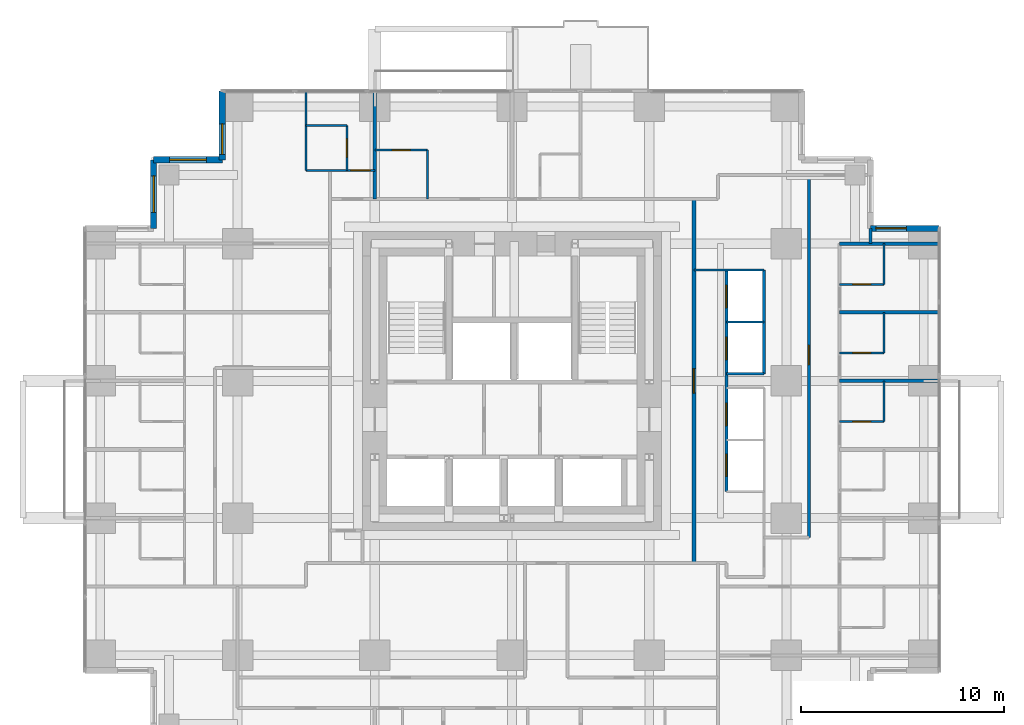
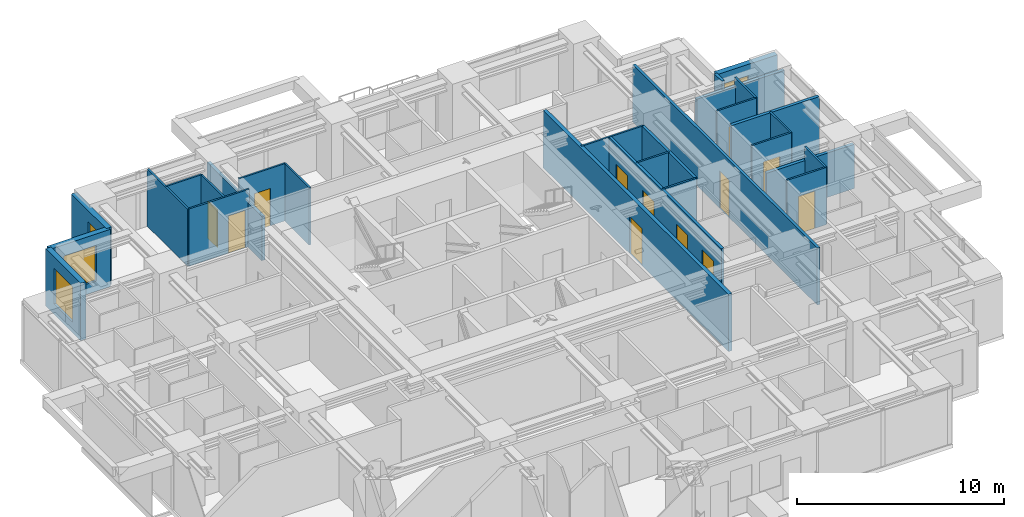
# One storey, part 10 of 12: 28 walls, 12 doors, 4 windows, 16 openings.
"""IFC4 building model written with IfcOpenShell, lengths in metres."""

from ifc_helpers import new_model, si_unit, direction, frame, frame_2d, origin, place, context, subcontext, project, spatial, rectangle, extrude, material, layer, layer_set, type_object, element, fill, save


model = new_model("IFC4")

# Units and contexts
model_context = context("Model", 3, precision=1e-05, world=origin(), true_north=direction((0.0, 1.0)))
body_context = subcontext(model_context, "Body", "Model", "MODEL_VIEW")
ifc_project = project(units=[si_unit("LENGTHUNIT", "METRE"), si_unit("AREAUNIT", "SQUARE_METRE"), si_unit("VOLUMEUNIT", "CUBIC_METRE"), si_unit("PLANEANGLEUNIT", "RADIAN"), si_unit("MASSUNIT", "GRAM", prefix="KILO")], contexts=[model_context])

# Site, building, storey
site_placement = place(None, origin())
site = spatial("IfcSite", under=ifc_project, at=site_placement, CompositionType="ELEMENT")
building_placement = place(site_placement, origin())
building = spatial("IfcBuilding", under=site, at=building_placement, Name="Nyansa Garden Tower", CompositionType="ELEMENT")
storey_placement = place(building_placement, frame((0.0, 0.0, 126.89990234375)))
storey = spatial("IfcBuildingStorey", under=building, at=storey_placement, Name="L34", CompositionType="ELEMENT", Elevation=126.89990234375)

# Walls
ifc_material_1 = material(Name="Dense blockwork, plastered both sides, 55 dB", Category="masonry")
ifc_layer_1 = layer(ifc_material_1, 0.175048828125)
ifc_layer_set_1 = layer_set([ifc_layer_1], Name="Acoustic party wall PW175")
wall_type_1 = type_object("IfcWallType", Name="Acoustic party wall PW175", PredefinedType="PARTITIONING", material=ifc_layer_set_1)
wall_1_placement = place(storey_placement, frame((13.5, 29.199951171875, 0.0), z_axis=(0.0, 0.0, 1.0), x_axis=(0.0, 1.0, 0.0)))
element("IfcWall", 1, at=wall_1_placement, inside=storey, type_object=wall_type_1, Name="Party wall", PredefinedType="PARTITIONING", context=body_context, shape_type="SweptSolid", body=[
    extrude(rectangle(XDim=5.283935546875, YDim=0.175048828125, at=frame_2d((2.64208984375, 0.0))), origin(), (0.0, 0.0, 1.0), 2.610107421875),
])
wall_2_placement = place(storey_placement, frame((36.35009765625, 20.25, 0.0), z_axis=(0.0, 0.0, 1.0), x_axis=(1.0, 0.0, 0.0)))
element("IfcWall", 2, at=wall_2_placement, inside=storey, type_object=wall_type_1, Name="Party wall", PredefinedType="PARTITIONING", context=body_context, shape_type="SweptSolid", body=[
    extrude(rectangle(XDim=4.8837890625, YDim=0.175048828125, at=frame_2d((2.44189453125, 0.0))), origin(), (0.0, 0.0, 1.0), 2.610107421875),
])
wall_3_placement = place(storey_placement, frame((36.35009765625, 23.625, 0.0), z_axis=(0.0, 0.0, 1.0), x_axis=(1.0, 0.0, 0.0)))
element("IfcWall", 3, at=wall_3_placement, inside=storey, type_object=wall_type_1, Name="Party wall", PredefinedType="PARTITIONING", context=body_context, shape_type="SweptSolid", body=[
    extrude(rectangle(XDim=4.8837890625, YDim=0.175048828125, at=frame_2d((2.44189453125, 0.0))), origin(), (0.0, 0.0, 1.0), 3.375),
])
wall_4_placement = place(storey_placement, frame((36.35009765625, 27.0, 0.0), z_axis=(0.0, 0.0, 1.0), x_axis=(1.0, 0.0, 0.0)))
element("IfcWall", 4, at=wall_4_placement, inside=storey, type_object=wall_type_1, Name="Party wall", PredefinedType="PARTITIONING", context=body_context, shape_type="SweptSolid", body=[
    extrude(rectangle(XDim=4.8837890625, YDim=0.175048828125, at=frame_2d((2.44189453125, 0.0))), origin(), (0.0, 0.0, 1.0), 2.877197265625),
])

# Wall, opening, door
ifc_material_2 = material(Name="Concrete blockwork, plastered, 60 minute fire resisting", Category="masonry")
ifc_layer_2 = layer(ifc_material_2, 0.199951171875)
ifc_layer_set_2 = layer_set([ifc_layer_2], Name="Corridor wall FW200")
wall_type_2 = type_object("IfcWallType", Name="Corridor wall FW200", PredefinedType="PARTITIONING", material=ifc_layer_set_2)
wall_5_placement = place(storey_placement, frame((29.199951171875, 11.300048828125, 0.0), z_axis=(0.0, 0.0, 1.0), x_axis=(0.0, 1.0, 0.0)))
wall_5 = element("IfcWall", 5, at=wall_5_placement, inside=storey, type_object=wall_type_2, Name="Corridor wall", PredefinedType="PARTITIONING", context=body_context, shape_type="SweptSolid", body=[
    extrude(rectangle(XDim=17.89990234375, YDim=0.199951171875, at=frame_2d((8.949951171875, 0.0))), origin(), (0.0, 0.0, 1.0), 3.375),
])
opening_1_placement = place(wall_5_placement, frame((8.35009765625, 0.0, 0.0)))
opening_1 = element("IfcOpeningElement", 6, at=opening_1_placement, cuts=wall_5, Name="Opening D06", PredefinedType="OPENING", context=body_context, shape_type="SweptSolid", body=[
    extrude(rectangle(XDim=1.199951171875, YDim=2.199951171875, at=frame_2d((0.60009765625, 1.10009765625))), frame((0.0, 0.10986328125, 0.0), z_axis=(0.0, -1.0, 0.0), x_axis=(1.0, 0.0, 0.0)), (0.0, 0.0, 1.0), 0.219970703125),
])
ifc_material_3 = material(Name="Steel door, 120 minute fire resisting", Category="steel")
door_type_1 = type_object("IfcDoorType", Name="Lobby door D06 1200x2200", OperationType="DOUBLE_DOOR_SINGLE_SWING", PredefinedType="DOOR", material=ifc_material_3)
door_1_placement = place(opening_1_placement, origin())
door_1 = element("IfcDoor", 7, at=door_1_placement, inside=storey, type_object=door_type_1, Name="Low-rise lift lobby door", OperationType="DOUBLE_DOOR_SINGLE_SWING", OverallHeight=2.199951171875, OverallWidth=1.199951171875, PredefinedType="DOOR", context=body_context, shape_type="SweptSolid", body=[
    extrude(rectangle(XDim=1.199951171875, YDim=2.199951171875, at=frame_2d((0.60009765625, 1.10009765625))), frame((0.0, 0.02490234375, 0.0), z_axis=(0.0, -1.0, 0.0), x_axis=(1.0, 0.0, 0.0)), (0.0, 0.0, 1.0), 0.050048828125),
])
fill(opening_1, door_1)

# Walls
ifc_material_4 = material(Name="Steel-stud shaft wall, two layers fire-rated board, EI 120", Category="steel")
ifc_layer_3 = layer(ifc_material_4, 0.10009765625)
ifc_layer_set_3 = layer_set([ifc_layer_3], Name="Lift shaft wall SW100")
wall_type_3 = type_object("IfcWallType", Name="Lift shaft wall SW100", PredefinedType="SHEAR", material=ifc_layer_set_3)
wall_6_placement = place(storey_placement, frame((29.199951171875, 25.699951171875, 0.0), z_axis=(0.0, 0.0, 1.0), x_axis=(1.0, 0.0, 0.0)))
element("IfcWall", 8, at=wall_6_placement, inside=storey, type_object=wall_type_3, Name="Lift shaft wall", PredefinedType="SHEAR", context=body_context, shape_type="SweptSolid", body=[
    extrude(rectangle(XDim=3.449951171875, YDim=0.10009765625, at=frame_2d((1.72509765625, 0.0))), origin(), (0.0, 0.0, 1.0), 3.375),
])
for number, where, z_axis, x_axis, name in (
    (9, (30.800048828125, 20.60009765625, 0.0), (0.0, 0.0, 1.0), (1.0, 0.0, 0.0), "Lift shaft wall"),
    (10, (30.800048828125, 23.14990234375, 0.0), (0.0, 0.0, 1.0), (1.0, 0.0, 0.0), "Lift shaft wall"),
):
    element("IfcWall", number, at=place(storey_placement, frame(where, z_axis=z_axis, x_axis=x_axis)), inside=storey, type_object=wall_type_3, Name=name, PredefinedType="SHEAR", context=body_context, shape_type="SweptSolid", body=[
        extrude(rectangle(XDim=1.849853515625, YDim=0.10009765625, at=frame_2d((0.9248046875, 0.0))), origin(), (0.0, 0.0, 1.0), 3.375),
    ])

# Wall, openings, doors
ifc_material_5 = material(Name="Blockwork, plastered both sides", Category="masonry")
ifc_layer_4 = layer(ifc_material_5, 0.14990234375)
ifc_layer_set_4 = layer_set([ifc_layer_4], Name="Partition PW150")
wall_type_4 = type_object("IfcWallType", Name="Partition PW150", PredefinedType="PARTITIONING", material=ifc_layer_set_4)
wall_7_placement = place(storey_placement, frame((30.800048828125, 14.800048828125, 0.0), z_axis=(0.0, 0.0, 1.0), x_axis=(0.0, 1.0, 0.0)))
wall_7 = element("IfcWall", 11, at=wall_7_placement, inside=storey, type_object=wall_type_4, Name="Partition", PredefinedType="PARTITIONING", context=body_context, shape_type="SweptSolid", body=[
    extrude(rectangle(XDim=10.89990234375, YDim=0.14990234375, at=frame_2d((5.449951171875, 0.0))), origin(), (0.0, 0.0, 1.0), 3.375),
])
opening_2_placement = place(wall_7_placement, frame((0.75, 0.0, 0.0)))
opening_2 = element("IfcOpeningElement", 12, at=opening_2_placement, cuts=wall_7, Name="Opening LD-A", PredefinedType="OPENING", context=body_context, shape_type="SweptSolid", body=[
    extrude(rectangle(XDim=1.10009765625, YDim=2.199951171875, at=frame_2d((0.550048828125, 1.10009765625))), frame((0.0, 0.0849609375, 0.0), z_axis=(0.0, -1.0, 0.0), x_axis=(1.0, 0.0, 0.0)), (0.0, 0.0, 1.0), 0.169921875),
])
opening_3_placement = place(wall_7_placement, frame((3.25, 0.0, 0.0)))
opening_3 = element("IfcOpeningElement", 13, at=opening_3_placement, cuts=wall_7, Name="Opening LD-A", PredefinedType="OPENING", context=body_context, shape_type="SweptSolid", body=[
    extrude(rectangle(XDim=1.10009765625, YDim=2.199951171875, at=frame_2d((0.550048828125, 1.10009765625))), frame((0.0, 0.0849609375, 0.0), z_axis=(0.0, -1.0, 0.0), x_axis=(1.0, 0.0, 0.0)), (0.0, 0.0, 1.0), 0.169921875),
])
opening_4_placement = place(wall_7_placement, frame((6.5, 0.0, 0.0)))
opening_4 = element("IfcOpeningElement", 14, at=opening_4_placement, cuts=wall_7, Name="Opening LD-A", PredefinedType="OPENING", context=body_context, shape_type="SweptSolid", body=[
    extrude(rectangle(XDim=1.10009765625, YDim=2.199951171875, at=frame_2d((0.550048828125, 1.10009765625))), frame((0.0, 0.0849609375, 0.0), z_axis=(0.0, -1.0, 0.0), x_axis=(1.0, 0.0, 0.0)), (0.0, 0.0, 1.0), 0.169921875),
])
opening_5_placement = place(wall_7_placement, frame((9.050048828125, 0.0, 0.0)))
opening_5 = element("IfcOpeningElement", 15, at=opening_5_placement, cuts=wall_7, Name="Opening LD-A", PredefinedType="OPENING", context=body_context, shape_type="SweptSolid", body=[
    extrude(rectangle(XDim=1.10009765625, YDim=2.199951171875, at=frame_2d((0.550048828125, 1.10009765625))), frame((0.0, 0.0849609375, 0.0), z_axis=(0.0, -1.0, 0.0), x_axis=(1.0, 0.0, 0.0)), (0.0, 0.0, 1.0), 0.169921875),
])
ifc_material_6 = material(Name="Stainless steel centre-opening landing door of the low-rise lift, E 120", Category="steel")
door_type_2 = type_object("IfcDoorType", Name="Lift landing door LD-A 1100x2200", OperationType="DOUBLE_DOOR_SLIDING", PredefinedType="DOOR", material=ifc_material_6)
door_2_placement = place(opening_2_placement, origin())
door_2 = element("IfcDoor", 16, at=door_2_placement, inside=storey, type_object=door_type_2, Name="Landing door A1", OperationType="DOUBLE_DOOR_SLIDING", OverallHeight=2.199951171875, OverallWidth=1.10009765625, PredefinedType="DOOR", context=body_context, shape_type="SweptSolid", body=[
    extrude(rectangle(XDim=1.10009765625, YDim=2.199951171875, at=frame_2d((0.550048828125, 1.10009765625))), frame((0.0, 0.02490234375, 0.0), z_axis=(0.0, -1.0, 0.0), x_axis=(1.0, 0.0, 0.0)), (0.0, 0.0, 1.0), 0.050048828125),
])
fill(opening_2, door_2)
door_3_placement = place(opening_3_placement, origin())
door_3 = element("IfcDoor", 17, at=door_3_placement, inside=storey, type_object=door_type_2, Name="Landing door A2", OperationType="DOUBLE_DOOR_SLIDING", OverallHeight=2.199951171875, OverallWidth=1.10009765625, PredefinedType="DOOR", context=body_context, shape_type="SweptSolid", body=[
    extrude(rectangle(XDim=1.10009765625, YDim=2.199951171875, at=frame_2d((0.550048828125, 1.10009765625))), frame((0.0, 0.02490234375, 0.0), z_axis=(0.0, -1.0, 0.0), x_axis=(1.0, 0.0, 0.0)), (0.0, 0.0, 1.0), 0.050048828125),
])
fill(opening_3, door_3)
door_4_placement = place(opening_4_placement, origin())
door_4 = element("IfcDoor", 18, at=door_4_placement, inside=storey, type_object=door_type_2, Name="Landing door A3", OperationType="DOUBLE_DOOR_SLIDING", OverallHeight=2.199951171875, OverallWidth=1.10009765625, PredefinedType="DOOR", context=body_context, shape_type="SweptSolid", body=[
    extrude(rectangle(XDim=1.10009765625, YDim=2.199951171875, at=frame_2d((0.550048828125, 1.10009765625))), frame((0.0, 0.02490234375, 0.0), z_axis=(0.0, -1.0, 0.0), x_axis=(1.0, 0.0, 0.0)), (0.0, 0.0, 1.0), 0.050048828125),
])
fill(opening_4, door_4)
door_5_placement = place(opening_5_placement, origin())
door_5 = element("IfcDoor", 19, at=door_5_placement, inside=storey, type_object=door_type_2, Name="Landing door A4", OperationType="DOUBLE_DOOR_SLIDING", OverallHeight=2.199951171875, OverallWidth=1.10009765625, PredefinedType="DOOR", context=body_context, shape_type="SweptSolid", body=[
    extrude(rectangle(XDim=1.10009765625, YDim=2.199951171875, at=frame_2d((0.550048828125, 1.10009765625))), frame((0.0, 0.02490234375, 0.0), z_axis=(0.0, -1.0, 0.0), x_axis=(1.0, 0.0, 0.0)), (0.0, 0.0, 1.0), 0.050048828125),
])
fill(opening_5, door_5)

# Wall
wall_8_placement = place(storey_placement, frame((32.64990234375, 20.60009765625, 0.0), z_axis=(0.0, 0.0, 1.0), x_axis=(0.0, 1.0, 0.0)))
element("IfcWall", 20, at=wall_8_placement, inside=storey, type_object=wall_type_4, Name="Partition", PredefinedType="PARTITIONING", context=body_context, shape_type="SweptSolid", body=[
    extrude(rectangle(XDim=5.099853515625, YDim=0.14990234375, at=frame_2d((2.5498046875, 0.0))), origin(), (0.0, 0.0, 1.0), 3.375),
])

# Wall, opening, door
wall_9_placement = place(storey_placement, frame((34.85009765625, 12.550048828125, 0.0), z_axis=(0.0, 0.0, 1.0), x_axis=(0.0, 1.0, 0.0)))
wall_9 = element("IfcWall", 21, at=wall_9_placement, inside=storey, type_object=wall_type_4, Name="Partition", PredefinedType="PARTITIONING", context=body_context, shape_type="SweptSolid", body=[
    extrude(rectangle(XDim=17.824951171875, YDim=0.14990234375, at=frame_2d((8.91259765625, 0.0))), origin(), (0.0, 0.0, 1.0), 3.375),
])
opening_6_placement = place(wall_9_placement, frame((8.5, 0.0, 0.0)))
opening_6 = element("IfcOpeningElement", 22, at=opening_6_placement, cuts=wall_9, Name="Opening D01", PredefinedType="OPENING", context=body_context, shape_type="SweptSolid", body=[
    extrude(rectangle(XDim=0.949951171875, YDim=2.199951171875, at=frame_2d((0.47509765625, 1.10009765625))), frame((0.0, 0.0849609375, 0.0), z_axis=(0.0, -1.0, 0.0), x_axis=(1.0, 0.0, 0.0)), (0.0, 0.0, 1.0), 0.169921875),
])
ifc_material_7 = material(Name="Timber flush door, 30 minute fire resisting", Category="wood")
door_type_3 = type_object("IfcDoorType", Name="Bedroom door D01 950x2200", OperationType="SINGLE_SWING_LEFT", PredefinedType="DOOR", material=ifc_material_7)
door_6_placement = place(opening_6_placement, origin())
door_6 = element("IfcDoor", 23, at=door_6_placement, inside=storey, type_object=door_type_3, Name="Door L34-042", OperationType="SINGLE_SWING_LEFT", OverallHeight=2.199951171875, OverallWidth=0.949951171875, PredefinedType="DOOR", context=body_context, shape_type="SweptSolid", body=[
    extrude(rectangle(XDim=0.949951171875, YDim=2.199951171875, at=frame_2d((0.47509765625, 1.10009765625))), frame((0.0, 0.02490234375, 0.0), z_axis=(0.0, -1.0, 0.0), x_axis=(1.0, 0.0, 0.0)), (0.0, 0.0, 1.0), 0.050048828125),
])
fill(opening_6, door_6)

# Wall
wall_10_placement = place(storey_placement, frame((37.875, 27.0, 0.0), z_axis=(0.0, 0.0, 1.0), x_axis=(0.0, 1.0, 0.0)))
element("IfcWall", 24, at=wall_10_placement, inside=storey, type_object=wall_type_4, Name="Partition", PredefinedType="PARTITIONING", context=body_context, shape_type="SweptSolid", body=[
    extrude(rectangle(XDim=0.73388671875, YDim=0.14990234375, at=frame_2d((0.366943359375, 0.0))), origin(), (0.0, 0.0, 1.0), 3.375),
])

# Wall, opening, window
ifc_material_8 = material(Name="Turquoise glazed tile on concrete blockwork", Category="masonry")
ifc_layer_5 = layer(ifc_material_8, 0.300048828125)
ifc_layer_set_5 = layer_set([ifc_layer_5], Name="Tiled corner wall TW300")
wall_type_5 = type_object("IfcWallType", Name="Tiled corner wall TW300", PredefinedType="SOLIDWALL", material=ifc_layer_set_5)
wall_11_placement = place(storey_placement, frame((41.25, 27.75, 0.0), z_axis=(0.0, 0.0, 1.0), x_axis=(-1.0, 0.0, 0.0)))
wall_11 = element("IfcWall", 25, at=wall_11_placement, inside=storey, type_object=wall_type_5, Name="Tiled corner wall L34", PredefinedType="SOLIDWALL", context=body_context, shape_type="SweptSolid", body=[
    extrude(rectangle(XDim=3.375, YDim=0.300048828125, at=frame_2d((1.6875, 0.0))), origin(), (0.0, 0.0, 1.0), 3.375),
])
opening_7_placement = place(wall_11_placement, frame((1.607421875, 0.0, 0.89990234375)))
opening_7 = element("IfcOpeningElement", 26, at=opening_7_placement, cuts=wall_11, Name="Opening W1", PredefinedType="OPENING", context=body_context, shape_type="SweptSolid", body=[
    extrude(rectangle(XDim=1.5, YDim=1.800048828125, at=frame_2d((0.75, 0.89990234375))), frame((0.0, 0.159912109375, 0.0), z_axis=(0.0, -1.0, 0.0), x_axis=(1.0, 0.0, 0.0)), (0.0, 0.0, 1.0), 0.320068359375),
])
ifc_material_9 = material(Name="Black aluminium frame, dark tinted double glazing", Category="aluminium")
window_type_1 = type_object("IfcWindowType", Name="Window W1 1500x1800", PartitioningType="SINGLE_PANEL", PredefinedType="WINDOW", material=ifc_material_9)
window_1_placement = place(opening_7_placement, origin())
window_1 = element("IfcWindow", 27, at=window_1_placement, inside=storey, type_object=window_type_1, Name="Corner window L34", OverallHeight=1.800048828125, OverallWidth=1.5, PartitioningType="SINGLE_PANEL", PredefinedType="WINDOW", context=body_context, shape_type="SweptSolid", body=[
    extrude(rectangle(XDim=1.5, YDim=1.800048828125, at=frame_2d((0.75, 0.89990234375))), frame((0.0, 0.030029296875, 0.0), z_axis=(0.0, -1.0, 0.0), x_axis=(1.0, 0.0, 0.0)), (0.0, 0.0, 1.0), 0.06005859375),
])
fill(opening_7, window_1)

wall_12_placement = place(storey_placement, frame((6.0, 34.5, 0.0), z_axis=(0.0, 0.0, 1.0), x_axis=(0.0, -1.0, 0.0)))
wall_12 = element("IfcWall", 28, at=wall_12_placement, inside=storey, type_object=wall_type_5, Name="Tiled corner wall L34", PredefinedType="SOLIDWALL", context=body_context, shape_type="SweptSolid", body=[
    extrude(rectangle(XDim=3.375, YDim=0.300048828125, at=frame_2d((1.6875, 0.0))), origin(), (0.0, 0.0, 1.0), 3.375),
])
opening_8_placement = place(wall_12_placement, frame((1.607421875, 0.0, 0.89990234375)))
opening_8 = element("IfcOpeningElement", 29, at=opening_8_placement, cuts=wall_12, Name="Opening W1", PredefinedType="OPENING", context=body_context, shape_type="SweptSolid", body=[
    extrude(rectangle(XDim=1.5, YDim=1.800048828125, at=frame_2d((0.75, 0.89990234375))), frame((0.0, 0.159912109375, 0.0), z_axis=(0.0, -1.0, 0.0), x_axis=(1.0, 0.0, 0.0)), (0.0, 0.0, 1.0), 0.320068359375),
])
window_2_placement = place(opening_8_placement, origin())
window_2 = element("IfcWindow", 30, at=window_2_placement, inside=storey, type_object=window_type_1, Name="Corner window L34", OverallHeight=1.800048828125, OverallWidth=1.5, PartitioningType="SINGLE_PANEL", PredefinedType="WINDOW", context=body_context, shape_type="SweptSolid", body=[
    extrude(rectangle(XDim=1.5, YDim=1.800048828125, at=frame_2d((0.75, 0.89990234375))), frame((0.0, 0.030029296875, 0.0), z_axis=(0.0, -1.0, 0.0), x_axis=(1.0, 0.0, 0.0)), (0.0, 0.0, 1.0), 0.06005859375),
])
fill(opening_8, window_2)

wall_13_placement = place(storey_placement, frame((6.0, 31.125, 0.0), z_axis=(0.0, 0.0, 1.0), x_axis=(-1.0, 0.0, 0.0)))
wall_13 = element("IfcWall", 31, at=wall_13_placement, inside=storey, type_object=wall_type_5, Name="Tiled corner wall L34", PredefinedType="SOLIDWALL", context=body_context, shape_type="SweptSolid", body=[
    extrude(rectangle(XDim=3.375, YDim=0.300048828125, at=frame_2d((1.6875, 0.0))), origin(), (0.0, 0.0, 1.0), 3.375),
])
opening_9_placement = place(wall_13_placement, frame((0.78759765625, 0.0, 0.60009765625)))
opening_9 = element("IfcOpeningElement", 32, at=opening_9_placement, cuts=wall_13, Name="Opening W2", PredefinedType="OPENING", context=body_context, shape_type="SweptSolid", body=[
    extrude(rectangle(XDim=1.800048828125, YDim=2.10009765625, at=frame_2d((0.89990234375, 1.050048828125))), frame((0.0, 0.159912109375, 0.0), z_axis=(0.0, -1.0, 0.0), x_axis=(1.0, 0.0, 0.0)), (0.0, 0.0, 1.0), 0.320068359375),
])
ifc_material_10 = material(Name="Black aluminium frame, dark tinted double glazing", Category="aluminium")
window_type_2 = type_object("IfcWindowType", Name="Window W2 1800x2100", PartitioningType="SINGLE_PANEL", PredefinedType="WINDOW", material=ifc_material_10)
window_3_placement = place(opening_9_placement, origin())
window_3 = element("IfcWindow", 33, at=window_3_placement, inside=storey, type_object=window_type_2, Name="Corner window L34", OverallHeight=2.10009765625, OverallWidth=1.800048828125, PartitioningType="SINGLE_PANEL", PredefinedType="WINDOW", context=body_context, shape_type="SweptSolid", body=[
    extrude(rectangle(XDim=1.800048828125, YDim=2.10009765625, at=frame_2d((0.89990234375, 1.050048828125))), frame((0.0, 0.030029296875, 0.0), z_axis=(0.0, -1.0, 0.0), x_axis=(1.0, 0.0, 0.0)), (0.0, 0.0, 1.0), 0.06005859375),
])
fill(opening_9, window_3)

wall_14_placement = place(storey_placement, frame((2.625, 31.125, 0.0), z_axis=(0.0, 0.0, 1.0), x_axis=(0.0, -1.0, 0.0)))
wall_14 = element("IfcWall", 34, at=wall_14_placement, inside=storey, type_object=wall_type_5, Name="Tiled corner wall L34", PredefinedType="SOLIDWALL", context=body_context, shape_type="SweptSolid", body=[
    extrude(rectangle(XDim=3.375, YDim=0.300048828125, at=frame_2d((1.6875, 0.0))), origin(), (0.0, 0.0, 1.0), 3.375),
])
opening_10_placement = place(wall_14_placement, frame((0.78759765625, 0.0, 0.60009765625)))
opening_10 = element("IfcOpeningElement", 35, at=opening_10_placement, cuts=wall_14, Name="Opening W2", PredefinedType="OPENING", context=body_context, shape_type="SweptSolid", body=[
    extrude(rectangle(XDim=1.800048828125, YDim=2.10009765625, at=frame_2d((0.89990234375, 1.050048828125))), frame((0.0, 0.159912109375, 0.0), z_axis=(0.0, -1.0, 0.0), x_axis=(1.0, 0.0, 0.0)), (0.0, 0.0, 1.0), 0.320068359375),
])
window_4_placement = place(opening_10_placement, origin())
window_4 = element("IfcWindow", 36, at=window_4_placement, inside=storey, type_object=window_type_2, Name="Corner window L34", OverallHeight=2.10009765625, OverallWidth=1.800048828125, PartitioningType="SINGLE_PANEL", PredefinedType="WINDOW", context=body_context, shape_type="SweptSolid", body=[
    extrude(rectangle(XDim=1.800048828125, YDim=2.10009765625, at=frame_2d((0.89990234375, 1.050048828125))), frame((0.0, 0.030029296875, 0.0), z_axis=(0.0, -1.0, 0.0), x_axis=(1.0, 0.0, 0.0)), (0.0, 0.0, 1.0), 0.06005859375),
])
fill(opening_10, window_4)

# Wall
ifc_material_11 = material(Name="Moisture resistant board on steel studs, tiled", Category="steel")
ifc_layer_6 = layer(ifc_material_11, 0.10009765625)
ifc_layer_set_6 = layer_set([ifc_layer_6], Name="Wet wall PW100")
wall_type_6 = type_object("IfcWallType", Name="Wet wall PW100", PredefinedType="PARTITIONING", material=ifc_layer_set_6)
wall_15_placement = place(storey_placement, frame((10.125, 30.60009765625, 0.0), z_axis=(0.0, 0.0, 1.0), x_axis=(0.0, 1.0, 0.0)))
element("IfcWall", 37, at=wall_15_placement, inside=storey, type_object=wall_type_6, Name="Wet wall", PredefinedType="PARTITIONING", context=body_context, shape_type="SweptSolid", body=[
    extrude(rectangle(XDim=3.8837890625, YDim=0.10009765625, at=frame_2d((1.94189453125, 0.0))), origin(), (0.0, 0.0, 1.0), 3.375),
])

# Wall, opening, door
wall_16_placement = place(storey_placement, frame((10.125, 30.60009765625, 0.0), z_axis=(0.0, 0.0, 1.0), x_axis=(1.0, 0.0, 0.0)))
wall_16 = element("IfcWall", 38, at=wall_16_placement, inside=storey, type_object=wall_type_6, Name="Wet wall", PredefinedType="PARTITIONING", context=body_context, shape_type="SweptSolid", body=[
    extrude(rectangle(XDim=3.375, YDim=0.10009765625, at=frame_2d((1.6875, 0.0))), origin(), (0.0, 0.0, 1.0), 3.375),
])
opening_11_placement = place(wall_16_placement, frame((2.199951171875, 0.0, 0.0)))
opening_11 = element("IfcOpeningElement", 39, at=opening_11_placement, cuts=wall_16, Name="Opening D14", PredefinedType="OPENING", context=body_context, shape_type="SweptSolid", body=[
    extrude(rectangle(XDim=0.949951171875, YDim=2.199951171875, at=frame_2d((0.47509765625, 1.10009765625))), frame((0.0, 0.06005859375, 0.0), z_axis=(0.0, -1.0, 0.0), x_axis=(1.0, 0.0, 0.0)), (0.0, 0.0, 1.0), 0.1201171875),
])
ifc_material_12 = material(Name="Timber flush door, 60 minute fire resisting, self-closing", Category="wood")
door_type_4 = type_object("IfcDoorType", Name="Studio entrance door D14 950x2200", OperationType="SINGLE_SWING_LEFT", PredefinedType="DOOR", material=ifc_material_12)
door_7_placement = place(opening_11_placement, origin())
door_7 = element("IfcDoor", 40, at=door_7_placement, inside=storey, type_object=door_type_4, Name="Door L34-046", OperationType="SINGLE_SWING_LEFT", OverallHeight=2.199951171875, OverallWidth=0.949951171875, PredefinedType="DOOR", context=body_context, shape_type="SweptSolid", body=[
    extrude(rectangle(XDim=0.949951171875, YDim=2.199951171875, at=frame_2d((0.47509765625, 1.10009765625))), frame((0.0, 0.02490234375, 0.0), z_axis=(0.0, -1.0, 0.0), x_axis=(1.0, 0.0, 0.0)), (0.0, 0.0, 1.0), 0.050048828125),
])
fill(opening_11, door_7)

# Wall
wall_17_placement = place(storey_placement, frame((10.125, 32.800048828125, 0.0), z_axis=(0.0, 0.0, 1.0), x_axis=(1.0, 0.0, 0.0)))
element("IfcWall", 41, at=wall_17_placement, inside=storey, type_object=wall_type_6, Name="Wet wall", PredefinedType="PARTITIONING", context=body_context, shape_type="SweptSolid", body=[
    extrude(rectangle(XDim=2.0, YDim=0.10009765625, at=frame_2d((1.0, 0.0))), origin(), (0.0, 0.0, 1.0), 3.375),
])

# Wall, opening, door
wall_18_placement = place(storey_placement, frame((12.125, 30.60009765625, 0.0), z_axis=(0.0, 0.0, 1.0), x_axis=(0.0, 1.0, 0.0)))
wall_18 = element("IfcWall", 42, at=wall_18_placement, inside=storey, type_object=wall_type_6, Name="Wet wall", PredefinedType="PARTITIONING", context=body_context, shape_type="SweptSolid", body=[
    extrude(rectangle(XDim=2.199951171875, YDim=0.10009765625, at=frame_2d((1.10009765625, 0.0))), origin(), (0.0, 0.0, 1.0), 3.375),
])
opening_12_placement = place(wall_18_placement, frame((0.64990234375, 0.0, 0.0)))
opening_12 = element("IfcOpeningElement", 43, at=opening_12_placement, cuts=wall_18, Name="Opening D02", PredefinedType="OPENING", context=body_context, shape_type="SweptSolid", body=[
    extrude(rectangle(XDim=0.89990234375, YDim=2.199951171875, at=frame_2d((0.449951171875, 1.10009765625))), frame((0.0, 0.06005859375, 0.0), z_axis=(0.0, -1.0, 0.0), x_axis=(1.0, 0.0, 0.0)), (0.0, 0.0, 1.0), 0.1201171875),
])
ifc_material_13 = material(Name="Timber flush door", Category="wood")
door_type_5 = type_object("IfcDoorType", Name="En-suite door D02 900x2200", OperationType="SINGLE_SWING_RIGHT", PredefinedType="DOOR", material=ifc_material_13)
door_8_placement = place(opening_12_placement, origin())
door_8 = element("IfcDoor", 44, at=door_8_placement, inside=storey, type_object=door_type_5, Name="Door L34-047", OperationType="SINGLE_SWING_RIGHT", OverallHeight=2.199951171875, OverallWidth=0.89990234375, PredefinedType="DOOR", context=body_context, shape_type="SweptSolid", body=[
    extrude(rectangle(XDim=0.89990234375, YDim=2.199951171875, at=frame_2d((0.449951171875, 1.10009765625))), frame((0.0, 0.02490234375, 0.0), z_axis=(0.0, -1.0, 0.0), x_axis=(1.0, 0.0, 0.0)), (0.0, 0.0, 1.0), 0.050048828125),
])
fill(opening_12, door_8)

wall_19_placement = place(storey_placement, frame((13.5, 31.60009765625, 0.0), z_axis=(0.0, 0.0, 1.0), x_axis=(1.0, 0.0, 0.0)))
wall_19 = element("IfcWall", 45, at=wall_19_placement, inside=storey, type_object=wall_type_6, Name="Wet wall", PredefinedType="PARTITIONING", context=body_context, shape_type="SweptSolid", body=[
    extrude(rectangle(XDim=2.60009765625, YDim=0.10009765625, at=frame_2d((1.300048828125, 0.0))), origin(), (0.0, 0.0, 1.0), 3.375),
])
opening_13_placement = place(wall_19_placement, frame((0.85009765625, 0.0, 0.0)))
opening_13 = element("IfcOpeningElement", 46, at=opening_13_placement, cuts=wall_19, Name="Opening D02", PredefinedType="OPENING", context=body_context, shape_type="SweptSolid", body=[
    extrude(rectangle(XDim=0.89990234375, YDim=2.199951171875, at=frame_2d((0.449951171875, 1.10009765625))), frame((0.0, 0.06005859375, 0.0), z_axis=(0.0, -1.0, 0.0), x_axis=(1.0, 0.0, 0.0)), (0.0, 0.0, 1.0), 0.1201171875),
])
door_9_placement = place(opening_13_placement, origin())
door_9 = element("IfcDoor", 47, at=door_9_placement, inside=storey, type_object=door_type_5, Name="Door L34-045", OperationType="SINGLE_SWING_RIGHT", OverallHeight=2.199951171875, OverallWidth=0.89990234375, PredefinedType="DOOR", context=body_context, shape_type="SweptSolid", body=[
    extrude(rectangle(XDim=0.89990234375, YDim=2.199951171875, at=frame_2d((0.449951171875, 1.10009765625))), frame((0.0, 0.02490234375, 0.0), z_axis=(0.0, -1.0, 0.0), x_axis=(1.0, 0.0, 0.0)), (0.0, 0.0, 1.0), 0.050048828125),
])
fill(opening_13, door_9)

# Wall
wall_20_placement = place(storey_placement, frame((16.10009765625, 29.199951171875, 0.0), z_axis=(0.0, 0.0, 1.0), x_axis=(0.0, 1.0, 0.0)))
element("IfcWall", 48, at=wall_20_placement, inside=storey, type_object=wall_type_6, Name="Wet wall", PredefinedType="PARTITIONING", context=body_context, shape_type="SweptSolid", body=[
    extrude(rectangle(XDim=2.400146484375, YDim=0.10009765625, at=frame_2d((1.2001953125, 0.0))), origin(), (0.0, 0.0, 1.0), 3.375),
])

# Wall, opening, door
wall_21_placement = place(storey_placement, frame((36.35009765625, 18.25, 0.0), z_axis=(0.0, 0.0, 1.0), x_axis=(1.0, 0.0, 0.0)))
wall_21 = element("IfcWall", 49, at=wall_21_placement, inside=storey, type_object=wall_type_6, Name="Wet wall", PredefinedType="PARTITIONING", context=body_context, shape_type="SweptSolid", body=[
    extrude(rectangle(XDim=2.199951171875, YDim=0.10009765625, at=frame_2d((1.10009765625, 0.0))), origin(), (0.0, 0.0, 1.0), 3.375),
])
opening_14_placement = place(wall_21_placement, frame((0.64990234375, 0.0, 0.0)))
opening_14 = element("IfcOpeningElement", 50, at=opening_14_placement, cuts=wall_21, Name="Opening D02", PredefinedType="OPENING", context=body_context, shape_type="SweptSolid", body=[
    extrude(rectangle(XDim=0.89990234375, YDim=2.199951171875, at=frame_2d((0.449951171875, 1.10009765625))), frame((0.0, 0.06005859375, 0.0), z_axis=(0.0, -1.0, 0.0), x_axis=(1.0, 0.0, 0.0)), (0.0, 0.0, 1.0), 0.1201171875),
])
door_10_placement = place(opening_14_placement, origin())
door_10 = element("IfcDoor", 51, at=door_10_placement, inside=storey, type_object=door_type_5, Name="Door L34-036", OperationType="SINGLE_SWING_RIGHT", OverallHeight=2.199951171875, OverallWidth=0.89990234375, PredefinedType="DOOR", context=body_context, shape_type="SweptSolid", body=[
    extrude(rectangle(XDim=0.89990234375, YDim=2.199951171875, at=frame_2d((0.449951171875, 1.10009765625))), frame((0.0, 0.02490234375, 0.0), z_axis=(0.0, -1.0, 0.0), x_axis=(1.0, 0.0, 0.0)), (0.0, 0.0, 1.0), 0.050048828125),
])
fill(opening_14, door_10)

wall_22_placement = place(storey_placement, frame((36.35009765625, 21.625, 0.0), z_axis=(0.0, 0.0, 1.0), x_axis=(1.0, 0.0, 0.0)))
wall_22 = element("IfcWall", 52, at=wall_22_placement, inside=storey, type_object=wall_type_6, Name="Wet wall", PredefinedType="PARTITIONING", context=body_context, shape_type="SweptSolid", body=[
    extrude(rectangle(XDim=2.199951171875, YDim=0.10009765625, at=frame_2d((1.10009765625, 0.0))), origin(), (0.0, 0.0, 1.0), 3.375),
])
opening_15_placement = place(wall_22_placement, frame((0.64990234375, 0.0, 0.0)))
opening_15 = element("IfcOpeningElement", 53, at=opening_15_placement, cuts=wall_22, Name="Opening D02", PredefinedType="OPENING", context=body_context, shape_type="SweptSolid", body=[
    extrude(rectangle(XDim=0.89990234375, YDim=2.199951171875, at=frame_2d((0.449951171875, 1.10009765625))), frame((0.0, 0.06005859375, 0.0), z_axis=(0.0, -1.0, 0.0), x_axis=(1.0, 0.0, 0.0)), (0.0, 0.0, 1.0), 0.1201171875),
])
door_11_placement = place(opening_15_placement, origin())
door_11 = element("IfcDoor", 54, at=door_11_placement, inside=storey, type_object=door_type_5, Name="Door L34-038", OperationType="SINGLE_SWING_RIGHT", OverallHeight=2.199951171875, OverallWidth=0.89990234375, PredefinedType="DOOR", context=body_context, shape_type="SweptSolid", body=[
    extrude(rectangle(XDim=0.89990234375, YDim=2.199951171875, at=frame_2d((0.449951171875, 1.10009765625))), frame((0.0, 0.02490234375, 0.0), z_axis=(0.0, -1.0, 0.0), x_axis=(1.0, 0.0, 0.0)), (0.0, 0.0, 1.0), 0.050048828125),
])
fill(opening_15, door_11)

wall_23_placement = place(storey_placement, frame((36.35009765625, 25.0, 0.0), z_axis=(0.0, 0.0, 1.0), x_axis=(1.0, 0.0, 0.0)))
wall_23 = element("IfcWall", 55, at=wall_23_placement, inside=storey, type_object=wall_type_6, Name="Wet wall", PredefinedType="PARTITIONING", context=body_context, shape_type="SweptSolid", body=[
    extrude(rectangle(XDim=2.199951171875, YDim=0.10009765625, at=frame_2d((1.10009765625, 0.0))), origin(), (0.0, 0.0, 1.0), 3.375),
])
opening_16_placement = place(wall_23_placement, frame((0.64990234375, 0.0, 0.0)))
opening_16 = element("IfcOpeningElement", 56, at=opening_16_placement, cuts=wall_23, Name="Opening D02", PredefinedType="OPENING", context=body_context, shape_type="SweptSolid", body=[
    extrude(rectangle(XDim=0.89990234375, YDim=2.199951171875, at=frame_2d((0.449951171875, 1.10009765625))), frame((0.0, 0.06005859375, 0.0), z_axis=(0.0, -1.0, 0.0), x_axis=(1.0, 0.0, 0.0)), (0.0, 0.0, 1.0), 0.1201171875),
])
door_12_placement = place(opening_16_placement, origin())
door_12 = element("IfcDoor", 57, at=door_12_placement, inside=storey, type_object=door_type_5, Name="Door L34-040", OperationType="SINGLE_SWING_RIGHT", OverallHeight=2.199951171875, OverallWidth=0.89990234375, PredefinedType="DOOR", context=body_context, shape_type="SweptSolid", body=[
    extrude(rectangle(XDim=0.89990234375, YDim=2.199951171875, at=frame_2d((0.449951171875, 1.10009765625))), frame((0.0, 0.02490234375, 0.0), z_axis=(0.0, -1.0, 0.0), x_axis=(1.0, 0.0, 0.0)), (0.0, 0.0, 1.0), 0.050048828125),
])
fill(opening_16, door_12)

# Walls
for number, where, z_axis, x_axis, name in (
    (58, (38.550048828125, 18.25, 0.0), (0.0, 0.0, 1.0), (0.0, 1.0, 0.0), "Wet wall"),
    (59, (38.550048828125, 21.625, 0.0), (0.0, 0.0, 1.0), (0.0, 1.0, 0.0), "Wet wall"),
    (60, (38.550048828125, 25.0, 0.0), (0.0, 0.0, 1.0), (0.0, 1.0, 0.0), "Wet wall"),
):
    element("IfcWall", number, at=place(storey_placement, frame(where, z_axis=z_axis, x_axis=x_axis)), inside=storey, type_object=wall_type_6, Name=name, PredefinedType="PARTITIONING", context=body_context, shape_type="SweptSolid", body=[
        extrude(rectangle(XDim=2.0, YDim=0.10009765625, at=frame_2d((1.0, 0.0))), origin(), (0.0, 0.0, 1.0), 3.375),
    ])

save(model, "model.ifc")
